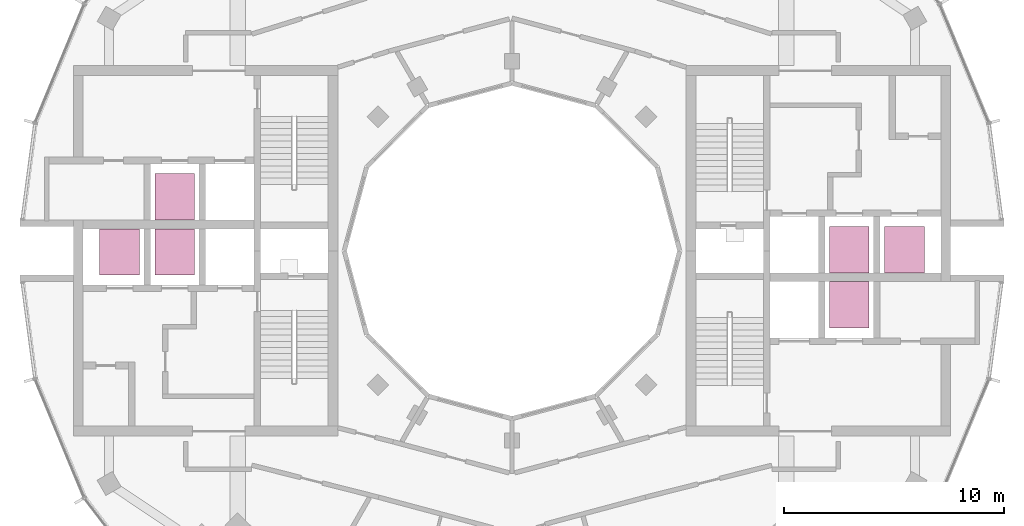
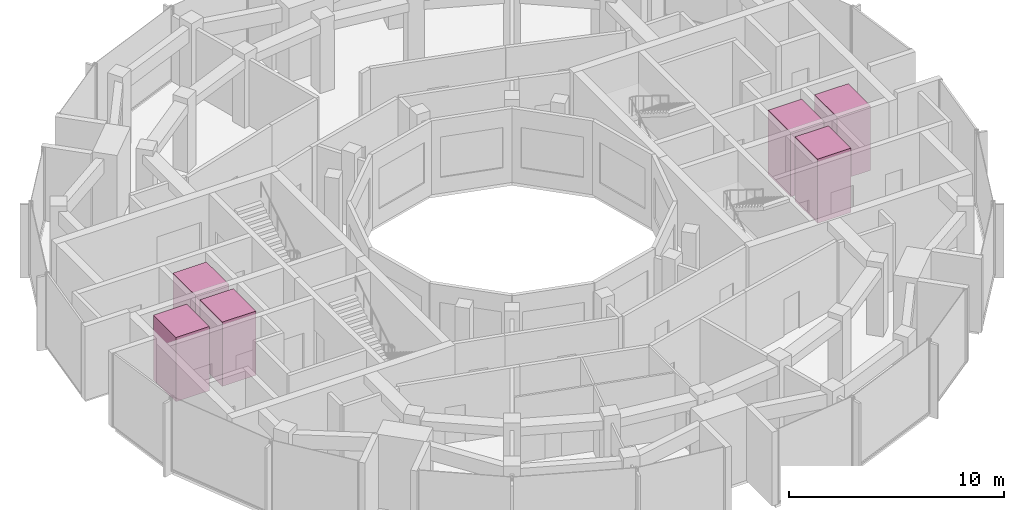
# One storey, part 13 of 13: 6 transport elements.
"""IFC4 building model written with IfcOpenShell, lengths in metres."""

from ifc_helpers import new_model, si_unit, direction, frame, origin, origin_2d, place, context, subcontext, project, spatial, rectangle, extrude, material, type_object, element, save


model = new_model("IFC4")

# Units and contexts
model_context = context("Model", 3, precision=1e-05, world=origin(), true_north=direction((0.0, 1.0)))
body_context = subcontext(model_context, "Body", "Model", "MODEL_VIEW")
ifc_project = project(units=[si_unit("LENGTHUNIT", "METRE"), si_unit("AREAUNIT", "SQUARE_METRE"), si_unit("VOLUMEUNIT", "CUBIC_METRE"), si_unit("PLANEANGLEUNIT", "RADIAN"), si_unit("MASSUNIT", "GRAM", prefix="KILO")], contexts=[model_context])

# Site, building, storey
site_placement = place(None, origin())
site = spatial("IfcSite", under=ifc_project, at=site_placement, CompositionType="ELEMENT")
building_placement = place(site_placement, origin())
building = spatial("IfcBuilding", under=site, at=building_placement, Name="Torre Brocal", CompositionType="ELEMENT")
storey_placement = place(building_placement, frame((0.0, 0.0, 300.89990234375)))
storey = spatial("IfcBuildingStorey", under=building, at=storey_placement, Name="L69", CompositionType="ELEMENT", Elevation=300.89990234375)

# Transport elements
ifc_material = material(Name="Stainless steel AISI 316", Category="steel")
transport_element_type = type_object("IfcTransportElementType", Name="PASSENGER LIFT", PredefinedType="ELEVATOR", material=ifc_material)
for number, where, z_axis, x_axis, name in (
    (1, (95.300048828125, 75.050048828125, 0.000244140625), (0.0, 0.0, 1.0), (1.0, 0.0, 0.0), "HIGH RISE LIFT E-HR1"),
    (2, (95.300048828125, 72.550048828125, 0.000244140625), (0.0, 0.0, 1.0), (1.0, 0.0, 0.0), "HIGH RISE LIFT E-HR2"),
    (3, (97.800048828125, 75.050048828125, 0.000244140625), (0.0, 0.0, 1.0), (1.0, 0.0, 0.0), "HIGH RISE LIFT E-HR3"),
    (4, (64.699951171875, 74.949951171875, 0.000244140625), (0.0, 0.0, 1.0), (1.0, 0.0, 0.0), "HIGH RISE LIFT W-HR1"),
    (5, (64.699951171875, 77.449951171875, 0.000244140625), (0.0, 0.0, 1.0), (1.0, 0.0, 0.0), "HIGH RISE LIFT W-HR2"),
    (6, (62.199951171875, 74.949951171875, 0.000244140625), (0.0, 0.0, 1.0), (1.0, 0.0, 0.0), "HIGH RISE LIFT W-HR3"),
):
    element("IfcTransportElement", number, at=place(storey_placement, frame(where, z_axis=z_axis, x_axis=x_axis)), inside=storey, type_object=transport_element_type, Name=name, PredefinedType="ELEVATOR", context=body_context, shape_type="SweptSolid", body=[
        extrude(rectangle(XDim=1.800048828125, YDim=2.10009765625, at=origin_2d()), origin(), (0.0, 0.0, 1.0), 3.64990234375),
    ])

save(model, "model.ifc")
